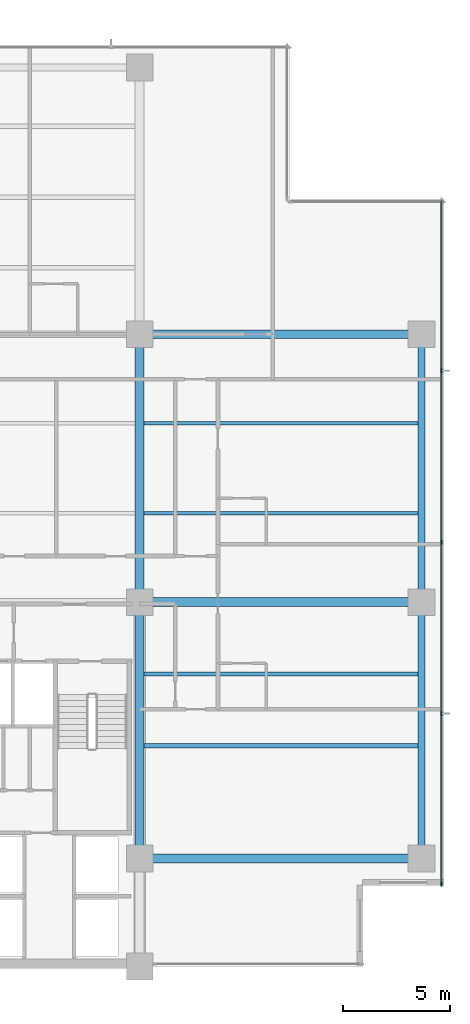
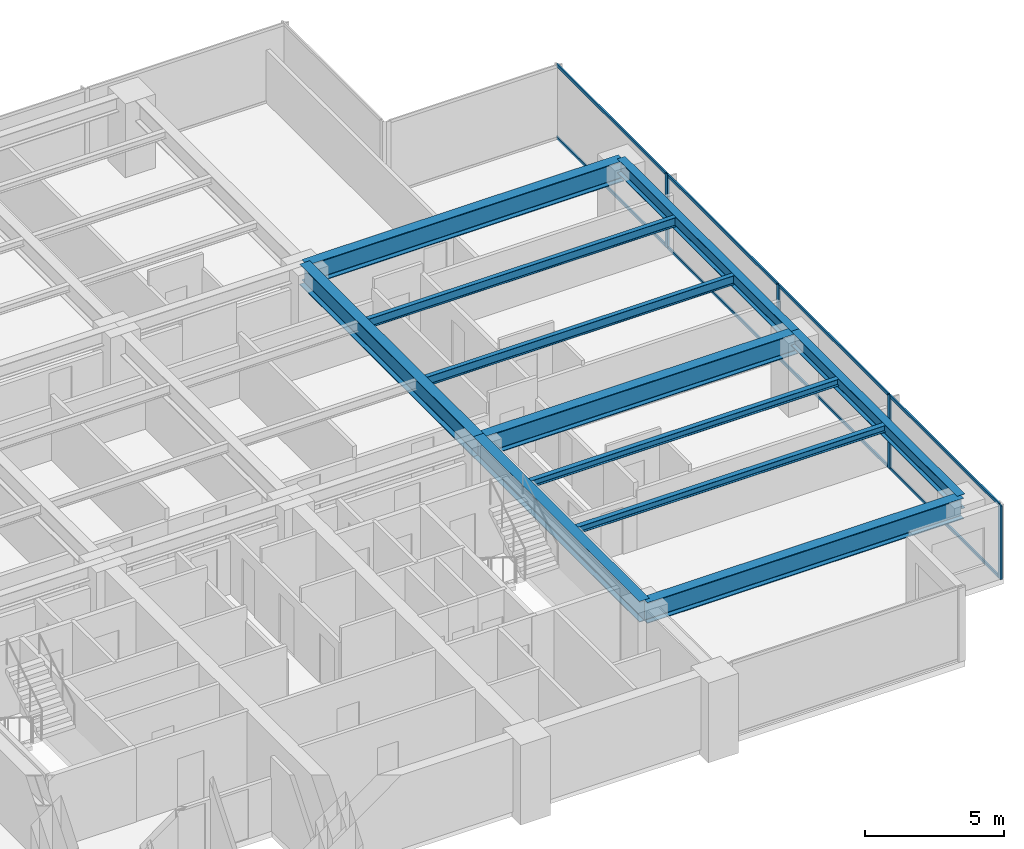
# One storey, part 4 of 17: 12 members, 11 beams, 1 element without a shape of its own.
"""IFC4 building model written with IfcOpenShell, lengths in metres."""

from ifc_helpers import new_model, si_unit, direction, frame, origin, origin_2d, place, context, subcontext, project, spatial, rectangle, i_section, extrude, material, layer, layer_set, material_profile, profile_set, type_object, element, aggregate, save


model = new_model("IFC4")

# Units and contexts
model_context = context("Model", 3, precision=1e-05, world=origin(), true_north=direction((0.0, 1.0)))
body_context = subcontext(model_context, "Body", "Model", "MODEL_VIEW")
ifc_project = project(units=[si_unit("LENGTHUNIT", "METRE"), si_unit("AREAUNIT", "SQUARE_METRE"), si_unit("VOLUMEUNIT", "CUBIC_METRE"), si_unit("PLANEANGLEUNIT", "RADIAN"), si_unit("MASSUNIT", "GRAM", prefix="KILO")], contexts=[model_context])

# Site, building, storey
site_placement = place(None, origin())
site = spatial("IfcSite", under=ifc_project, at=site_placement, CompositionType="ELEMENT")
building_placement = place(site_placement, origin())
building = spatial("IfcBuilding", under=site, at=building_placement, Name="Qalmaran Belvedere Hotel", CompositionType="ELEMENT")
storey_placement = place(building_placement, frame((0.0, 0.0, 116.199951171875)))
storey = spatial("IfcBuildingStorey", under=building, at=storey_placement, Name="L29", CompositionType="ELEMENT", Elevation=116.199951171875)

# Beams
ifc_material_1 = material(Name="Steel S355JR", Category="steel")
ifc_material_profile_1 = material_profile(ifc_material_1, i_section(OverallWidth=0.202880859375, OverallDepth=0.302978515625, WebThickness=0.007568359375, FlangeThickness=0.01318359375, FilletRadius=0.012939453125, at=origin_2d()), Name="W310X60")
ifc_profile_set_1 = profile_set([ifc_material_profile_1], Name="Steel S355JR")
beam_type_1 = type_object("IfcBeamType", Name="BM-JST-W310X60", PredefinedType="JOIST", material=ifc_profile_set_1)
for number, where, z_axis, x_axis, name in (
    (1, (45.007080078125, 13.800048828125, 3.088623046875), (1.0, 0.0, 0.0), (0.0, 1.0, 0.0), "L29 East Wing Joist 039"),
    (2, (45.007080078125, 17.14990234375, 3.088623046875), (1.0, 0.0, 0.0), (0.0, 1.0, 0.0), "L29 East Wing Joist 041"),
):
    element("IfcBeam", number, at=place(storey_placement, frame(where, z_axis=z_axis, x_axis=x_axis)), inside=storey, type_object=beam_type_1, Name=name, PredefinedType="JOIST", context=body_context, shape_type="SweptSolid", body=[
        extrude(i_section(OverallWidth=0.202880859375, OverallDepth=0.302978515625, WebThickness=0.007568359375, FlangeThickness=0.01318359375, FilletRadius=0.012939453125, at=origin_2d()), origin(), (0.0, 0.0, 1.0), 12.781494140625),
    ])
ifc_material_profile_2 = material_profile(ifc_material_1, i_section(OverallWidth=0.41796875, OverallDepth=0.912109375, WebThickness=0.019287109375, FlangeThickness=0.031982421875, FilletRadius=0.02392578125, at=origin_2d()), Name="W920X342")
ifc_profile_set_2 = profile_set([ifc_material_profile_2], Name="Steel S355JR")
beam_type_2 = type_object("IfcBeamType", Name="BM-PG2-W920X342", PredefinedType="USERDEFINED", material=ifc_profile_set_2)
beam_1_placement = place(storey_placement, frame((44.800048828125, 20.5, 2.783935546875), z_axis=(0.0, 1.0, 0.0), x_axis=(-1.0, 0.0, 0.0)))
element("IfcBeam", 3, at=beam_1_placement, inside=storey, type_object=beam_type_2, Name="L29 Mid-Plate N-S Girder 20", ObjectType="GIRDER", PredefinedType="USERDEFINED", context=body_context, shape_type="SweptSolid", body=[
    extrude(i_section(OverallWidth=0.41796875, OverallDepth=0.912109375, WebThickness=0.019287109375, FlangeThickness=0.031982421875, FilletRadius=0.02392578125, at=origin_2d()), origin(), (0.0, 0.0, 1.0), 12.5),
])
beam_2_placement = place(storey_placement, frame((44.800048828125, 8.550048828125, 2.783935546875), z_axis=(0.0, 1.0, 0.0), x_axis=(-1.0, 0.0, 0.0)))
element("IfcBeam", 4, at=beam_2_placement, inside=storey, type_object=beam_type_2, Name="L29 East Core Edge Girder B", ObjectType="GIRDER", PredefinedType="USERDEFINED", context=body_context, shape_type="SweptSolid", body=[
    extrude(i_section(OverallWidth=0.41796875, OverallDepth=0.912109375, WebThickness=0.019287109375, FlangeThickness=0.031982421875, FilletRadius=0.02392578125, at=origin_2d()), origin(), (0.0, 0.0, 1.0), 11.949951171875),
])
for number, where, z_axis, x_axis, name in (
    (5, (44.800048828125, 8.550048828125, 2.783935546875), (1.0, 0.0, 0.0), (0.0, 1.0, 0.0), "L29 East Wing Girder 25"),
    (6, (44.800048828125, 20.5, 2.783935546875), (1.0, 0.0, 0.0), (0.0, 1.0, 0.0), "L29 East Wing Girder 26"),
    (7, (44.800048828125, 33.0, 2.783935546875), (1.0, 0.0, 0.0), (0.0, 1.0, 0.0), "L29 East Wing Girder 27"),
):
    element("IfcBeam", number, at=place(storey_placement, frame(where, z_axis=z_axis, x_axis=x_axis)), inside=storey, type_object=beam_type_2, Name=name, ObjectType="GIRDER", PredefinedType="USERDEFINED", context=body_context, shape_type="SweptSolid", body=[
        extrude(i_section(OverallWidth=0.41796875, OverallDepth=0.912109375, WebThickness=0.019287109375, FlangeThickness=0.031982421875, FilletRadius=0.02392578125, at=origin_2d()), origin(), (0.0, 0.0, 1.0), 13.14990234375),
    ])
ifc_material_profile_3 = material_profile(ifc_material_1, i_section(OverallWidth=0.177978515625, OverallDepth=0.406982421875, WebThickness=0.0078125, FlangeThickness=0.0126953125, FilletRadius=0.014892578125, at=origin_2d()), Name="W410X60")
ifc_profile_set_3 = profile_set([ifc_material_profile_3], Name="Steel S355JR")
beam_type_3 = type_object("IfcBeamType", Name="BM-SB2-W410X60", PredefinedType="BEAM", material=ifc_profile_set_3)
for number, where, z_axis, x_axis, name in (
    (8, (45.007080078125, 24.64990234375, 3.03662109375), (1.0, 0.0, 0.0), (0.0, 1.0, 0.0), "L29 East Secondary Beam 032"),
    (9, (45.007080078125, 28.85009765625, 3.03662109375), (1.0, 0.0, 0.0), (0.0, 1.0, 0.0), "L29 East Secondary Beam 037"),
):
    element("IfcBeam", number, at=place(storey_placement, frame(where, z_axis=z_axis, x_axis=x_axis)), inside=storey, type_object=beam_type_3, Name=name, PredefinedType="BEAM", context=body_context, shape_type="SweptSolid", body=[
        extrude(i_section(OverallWidth=0.177978515625, OverallDepth=0.406982421875, WebThickness=0.0078125, FlangeThickness=0.0126953125, FilletRadius=0.014892578125, at=origin_2d()), origin(), (0.0, 0.0, 1.0), 12.781494140625),
    ])
ifc_material_profile_4 = material_profile(ifc_material_1, i_section(OverallWidth=0.326904296875, OverallDepth=0.6220703125, WebThickness=0.015380859375, FlangeThickness=0.0244140625, FilletRadius=0.02001953125, at=origin_2d()), Name="W610X195")
ifc_profile_set_4 = profile_set([ifc_material_profile_4], Name="Steel S355JR")
beam_type_4 = type_object("IfcBeamType", Name="BM-SP1-W610X195", PredefinedType="SPANDREL", material=ifc_profile_set_4)
beam_3_placement = place(storey_placement, frame((57.949951171875, 8.550048828125, 2.928955078125), z_axis=(0.0, 1.0, 0.0), x_axis=(-1.0, 0.0, 0.0)))
element("IfcBeam", 10, at=beam_3_placement, inside=storey, type_object=beam_type_4, Name="L29 Perimeter Spandrel 03", PredefinedType="SPANDREL", context=body_context, shape_type="SweptSolid", body=[
    extrude(i_section(OverallWidth=0.326904296875, OverallDepth=0.6220703125, WebThickness=0.015380859375, FlangeThickness=0.0244140625, FilletRadius=0.02001953125, at=origin_2d()), origin(), (0.0, 0.0, 1.0), 11.949951171875),
])
beam_4_placement = place(storey_placement, frame((57.949951171875, 20.5, 2.928955078125), z_axis=(0.0, 1.0, 0.0), x_axis=(-1.0, 0.0, 0.0)))
element("IfcBeam", 11, at=beam_4_placement, inside=storey, type_object=beam_type_4, Name="L29 Perimeter Spandrel 04", PredefinedType="SPANDREL", context=body_context, shape_type="SweptSolid", body=[
    extrude(i_section(OverallWidth=0.326904296875, OverallDepth=0.6220703125, WebThickness=0.015380859375, FlangeThickness=0.0244140625, FilletRadius=0.02001953125, at=origin_2d()), origin(), (0.0, 0.0, 1.0), 12.5),
])

# Curtain wall, members
ifc_material_2 = material(Name="Anodised Bronze Aluminium", Category="aluminium")
ifc_layer = layer(ifc_material_2, 0.199951171875, Name="Anodised Bronze Aluminium")
ifc_layer_set = layer_set([ifc_layer], Name="Anodised Bronze Aluminium")
curtain_wall_type = type_object("IfcCurtainWallType", Name="CW3-TOWER-LOWMID", PredefinedType="NOTDEFINED", material=ifc_layer_set)
curtain_wall_placement = place(storey_placement, origin())
curtain_wall = element("IfcCurtainWall", 12, at=curtain_wall_placement, inside=storey, type_object=curtain_wall_type, Name="L29 Curtain Wall CW3", PredefinedType="NOTDEFINED")
ifc_material_profile_5 = material_profile(ifc_material_2, rectangle(XDim=0.070068359375, YDim=0.18994140625, at=origin_2d()), Name="CWM70X190")
ifc_profile_set_5 = profile_set([ifc_material_profile_5], Name="Anodised Bronze Aluminium")
member_type_1 = type_object("IfcMemberType", Name="CWM-70X190", PredefinedType="MULLION", material=ifc_profile_set_5)
member_1_placement = place(storey_placement, frame((58.8798828125, 7.3349609375, 0.0), z_axis=(0.0, 0.0, 1.0), x_axis=(-1.0, 0.0, 0.0)))
member_1 = element("IfcMember", 13, at=member_1_placement, type_object=member_type_1, Name="CW3 mullion 1", PredefinedType="MULLION", context=body_context, shape_type="SweptSolid", body=[
    extrude(rectangle(XDim=0.070068359375, YDim=0.18994140625, at=origin_2d()), origin(), (0.0, 0.0, 1.0), 3.239990234375),
])
member_2_placement = place(storey_placement, frame((58.8798828125, 15.300048828125, 0.0), z_axis=(0.0, 0.0, 1.0), x_axis=(-1.0, 0.0, 0.0)))
member_2 = element("IfcMember", 14, at=member_2_placement, type_object=member_type_1, Name="CW3 mullion 2", PredefinedType="MULLION", context=body_context, shape_type="SweptSolid", body=[
    extrude(rectangle(XDim=0.070068359375, YDim=0.18994140625, at=origin_2d()), origin(), (0.0, 0.0, 1.0), 3.239990234375),
])
member_3_placement = place(storey_placement, frame((58.8798828125, 23.300048828125, 0.0), z_axis=(0.0, 0.0, 1.0), x_axis=(-1.0, 0.0, 0.0)))
member_3 = element("IfcMember", 15, at=member_3_placement, type_object=member_type_1, Name="CW3 mullion 3", PredefinedType="MULLION", context=body_context, shape_type="SweptSolid", body=[
    extrude(rectangle(XDim=0.070068359375, YDim=0.18994140625, at=origin_2d()), origin(), (0.0, 0.0, 1.0), 3.239990234375),
])
member_4_placement = place(storey_placement, frame((58.8798828125, 31.300048828125, 0.0), z_axis=(0.0, 0.0, 1.0), x_axis=(-1.0, 0.0, 0.0)))
member_4 = element("IfcMember", 16, at=member_4_placement, type_object=member_type_1, Name="CW3 mullion 4", PredefinedType="MULLION", context=body_context, shape_type="SweptSolid", body=[
    extrude(rectangle(XDim=0.070068359375, YDim=0.18994140625, at=origin_2d()), origin(), (0.0, 0.0, 1.0), 3.239990234375),
])
ifc_material_profile_6 = material_profile(ifc_material_2, rectangle(XDim=0.06494140625, YDim=0.1298828125, at=origin_2d()), Name="CWT65X130")
ifc_profile_set_6 = profile_set([ifc_material_profile_6], Name="Anodised Bronze Aluminium")
member_type_2 = type_object("IfcMemberType", Name="CWT-65X130", PredefinedType="USERDEFINED", material=ifc_profile_set_6)
member_5_placement = place(storey_placement, frame((58.8798828125, 7.3701171875, 0.032470703125), z_axis=(0.0, 1.0, 0.0), x_axis=(-1.0, 0.0, 0.0)))
member_5 = element("IfcMember", 17, at=member_5_placement, type_object=member_type_2, Name="CW3 transom 1.1", ObjectType="TRANSOM", PredefinedType="USERDEFINED", context=body_context, shape_type="SweptSolid", body=[
    extrude(rectangle(XDim=0.06494140625, YDim=0.1298828125, at=origin_2d()), origin(), (0.0, 0.0, 1.0), 7.894775390625),
])
member_6_placement = place(storey_placement, frame((58.8798828125, 7.3701171875, 3.20751953125), z_axis=(0.0, 1.0, 0.0), x_axis=(-1.0, 0.0, 0.0)))
member_6 = element("IfcMember", 18, at=member_6_placement, type_object=member_type_2, Name="CW3 transom 1.2", ObjectType="TRANSOM", PredefinedType="USERDEFINED", context=body_context, shape_type="SweptSolid", body=[
    extrude(rectangle(XDim=0.06494140625, YDim=0.1298828125, at=origin_2d()), origin(), (0.0, 0.0, 1.0), 7.894775390625),
])
member_7_placement = place(storey_placement, frame((58.8798828125, 15.3349609375, 0.032470703125), z_axis=(0.0, 1.0, 0.0), x_axis=(-1.0, 0.0, 0.0)))
member_7 = element("IfcMember", 19, at=member_7_placement, type_object=member_type_2, Name="CW3 transom 2.1", ObjectType="TRANSOM", PredefinedType="USERDEFINED", context=body_context, shape_type="SweptSolid", body=[
    extrude(rectangle(XDim=0.06494140625, YDim=0.1298828125, at=origin_2d()), origin(), (0.0, 0.0, 1.0), 7.929931640625),
])
member_8_placement = place(storey_placement, frame((58.8798828125, 15.3349609375, 3.20751953125), z_axis=(0.0, 1.0, 0.0), x_axis=(-1.0, 0.0, 0.0)))
member_8 = element("IfcMember", 20, at=member_8_placement, type_object=member_type_2, Name="CW3 transom 2.2", ObjectType="TRANSOM", PredefinedType="USERDEFINED", context=body_context, shape_type="SweptSolid", body=[
    extrude(rectangle(XDim=0.06494140625, YDim=0.1298828125, at=origin_2d()), origin(), (0.0, 0.0, 1.0), 7.929931640625),
])
member_9_placement = place(storey_placement, frame((58.8798828125, 23.3349609375, 0.032470703125), z_axis=(0.0, 1.0, 0.0), x_axis=(-1.0, 0.0, 0.0)))
member_9 = element("IfcMember", 21, at=member_9_placement, type_object=member_type_2, Name="CW3 transom 3.1", ObjectType="TRANSOM", PredefinedType="USERDEFINED", context=body_context, shape_type="SweptSolid", body=[
    extrude(rectangle(XDim=0.06494140625, YDim=0.1298828125, at=origin_2d()), origin(), (0.0, 0.0, 1.0), 7.929931640625),
])
member_10_placement = place(storey_placement, frame((58.8798828125, 23.3349609375, 3.20751953125), z_axis=(0.0, 1.0, 0.0), x_axis=(-1.0, 0.0, 0.0)))
member_10 = element("IfcMember", 22, at=member_10_placement, type_object=member_type_2, Name="CW3 transom 3.2", ObjectType="TRANSOM", PredefinedType="USERDEFINED", context=body_context, shape_type="SweptSolid", body=[
    extrude(rectangle(XDim=0.06494140625, YDim=0.1298828125, at=origin_2d()), origin(), (0.0, 0.0, 1.0), 7.929931640625),
])
member_11_placement = place(storey_placement, frame((58.8798828125, 31.3349609375, 0.032470703125), z_axis=(0.0, 1.0, 0.0), x_axis=(-1.0, 0.0, 0.0)))
member_11 = element("IfcMember", 23, at=member_11_placement, type_object=member_type_2, Name="CW3 transom 4.1", ObjectType="TRANSOM", PredefinedType="USERDEFINED", context=body_context, shape_type="SweptSolid", body=[
    extrude(rectangle(XDim=0.06494140625, YDim=0.1298828125, at=origin_2d()), origin(), (0.0, 0.0, 1.0), 7.89501953125),
])
member_12_placement = place(storey_placement, frame((58.8798828125, 31.3349609375, 3.20751953125), z_axis=(0.0, 1.0, 0.0), x_axis=(-1.0, 0.0, 0.0)))
member_12 = element("IfcMember", 24, at=member_12_placement, type_object=member_type_2, Name="CW3 transom 4.2", ObjectType="TRANSOM", PredefinedType="USERDEFINED", context=body_context, shape_type="SweptSolid", body=[
    extrude(rectangle(XDim=0.06494140625, YDim=0.1298828125, at=origin_2d()), origin(), (0.0, 0.0, 1.0), 7.89501953125),
])
aggregate(curtain_wall, [member_1, member_2, member_3, member_4, member_5, member_6, member_7, member_8, member_9, member_10, member_11, member_12])

save(model, "model.ifc")
